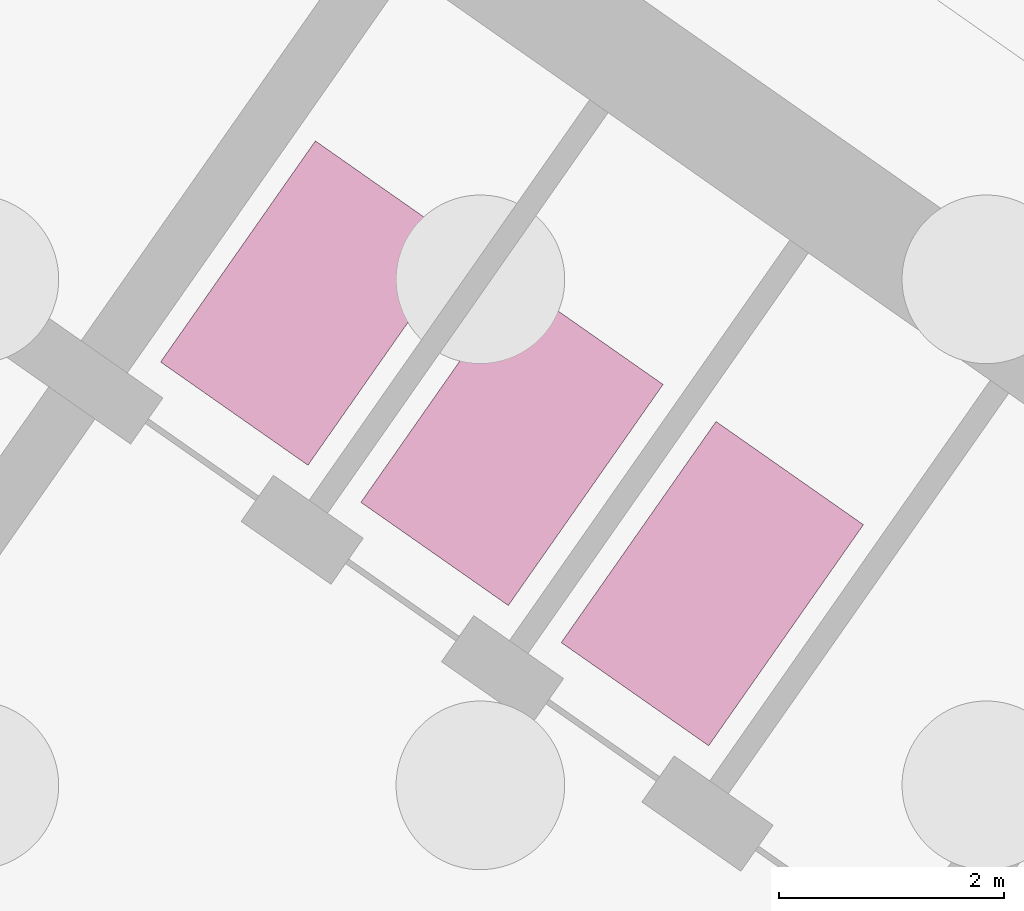
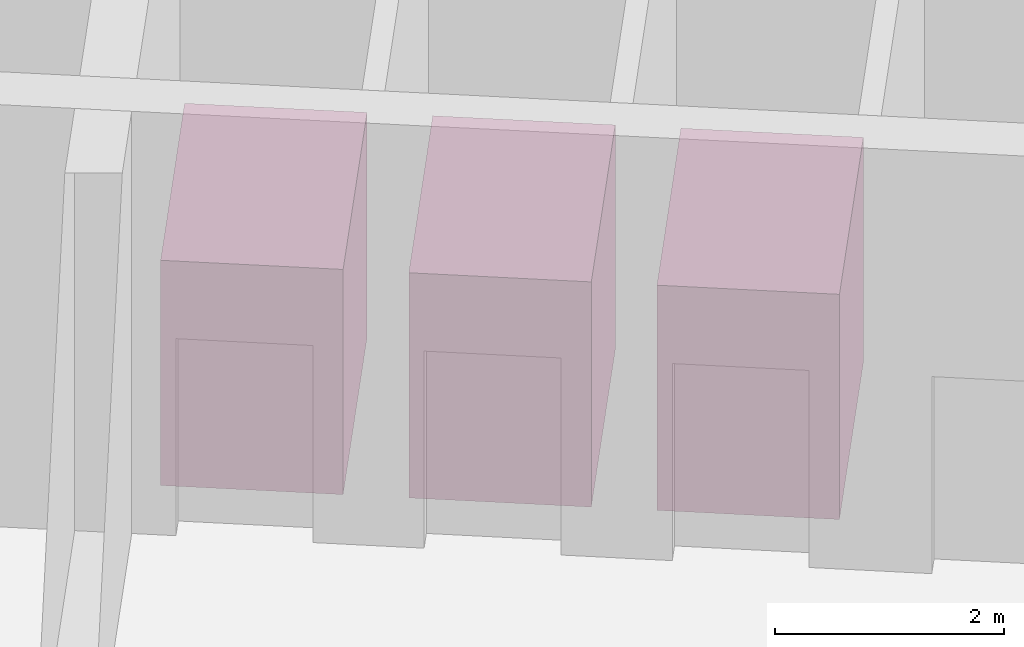
# One storey, part 13 of 13: 3 transport elements.
"""IFC4 building model written with IfcOpenShell, lengths in metres."""

from ifc_helpers import new_model, si_unit, direction, frame, origin, origin_2d, place, context, subcontext, project, spatial, rectangle, extrude, material, type_object, element, save


model = new_model("IFC4")

# Units and contexts
model_context = context("Model", 3, precision=1e-05, world=origin(), true_north=direction((0.0, 1.0)))
body_context = subcontext(model_context, "Body", "Model", "MODEL_VIEW")
ifc_project = project(units=[si_unit("LENGTHUNIT", "METRE"), si_unit("AREAUNIT", "SQUARE_METRE"), si_unit("VOLUMEUNIT", "CUBIC_METRE"), si_unit("PLANEANGLEUNIT", "RADIAN"), si_unit("MASSUNIT", "GRAM", prefix="KILO")], contexts=[model_context])

# Site, building, storey
site_placement = place(None, origin())
site = spatial("IfcSite", under=ifc_project, at=site_placement, CompositionType="ELEMENT")
building_placement = place(site_placement, origin())
building = spatial("IfcBuilding", under=site, at=building_placement, Name="Tel Ilan Convention Tower", CompositionType="ELEMENT")
storey_placement = place(building_placement, frame((0.0, 0.0, -9.0)))
storey = spatial("IfcBuildingStorey", under=building, at=storey_placement, Name="B2", CompositionType="ELEMENT", Elevation=-9.0)

# Transport elements
ifc_material = material(Name="Stainless Steel Grade 316", Category="steel")
transport_element_type = type_object("IfcTransportElementType", Name="Firefighting Lift Car 2000 kg 1600 x 2400", PredefinedType="ELEVATOR", material=ifc_material)
for number, where, z_axis, x_axis, name in (
    (1, (11.99951171875, -0.711181640625, 0.0), (0.0, 0.0, 1.0), (0.819152044289, -0.573576436351, 0.0), "Lift FL1"),
    (2, (13.78125, -1.958984375, 0.0), (0.0, 0.0, 1.0), (0.819152044289, -0.573576436351, 0.0), "Lift FL2"),
    (3, (15.56298828125, -3.206298828125, 0.0), (0.0, 0.0, 1.0), (0.819152044289, -0.573576436351, 0.0), "Lift FL3"),
):
    element("IfcTransportElement", number, at=place(storey_placement, frame(where, z_axis=z_axis, x_axis=x_axis)), inside=storey, type_object=transport_element_type, Name=name, PredefinedType="ELEVATOR", context=body_context, shape_type="SweptSolid", body=[
        extrude(rectangle(XDim=1.60009765625, YDim=2.39990234375, at=origin_2d()), origin(), (0.0, 0.0, 1.0), 2.39990234375),
    ])

save(model, "model.ifc")
